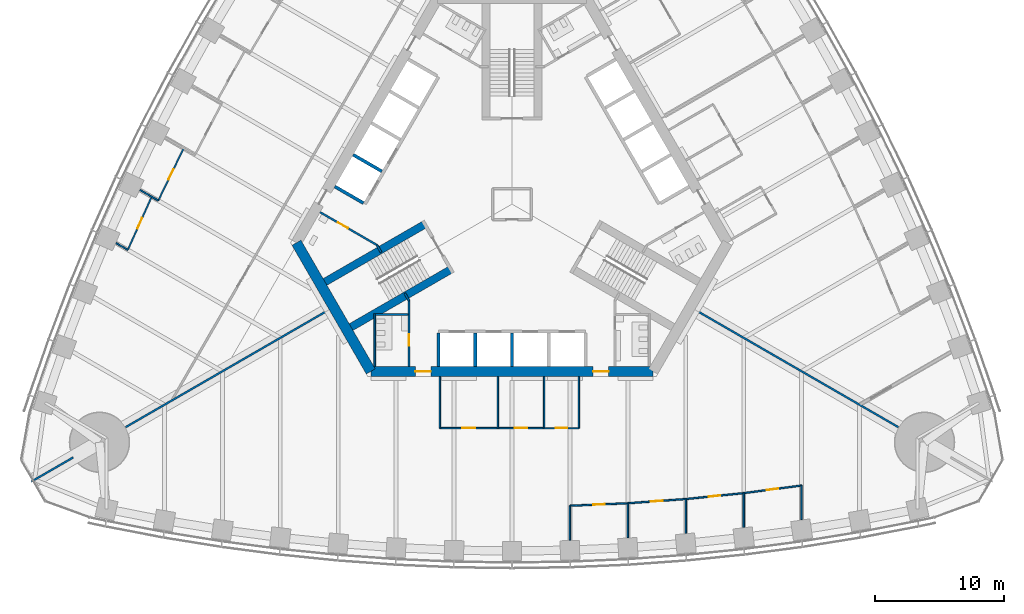
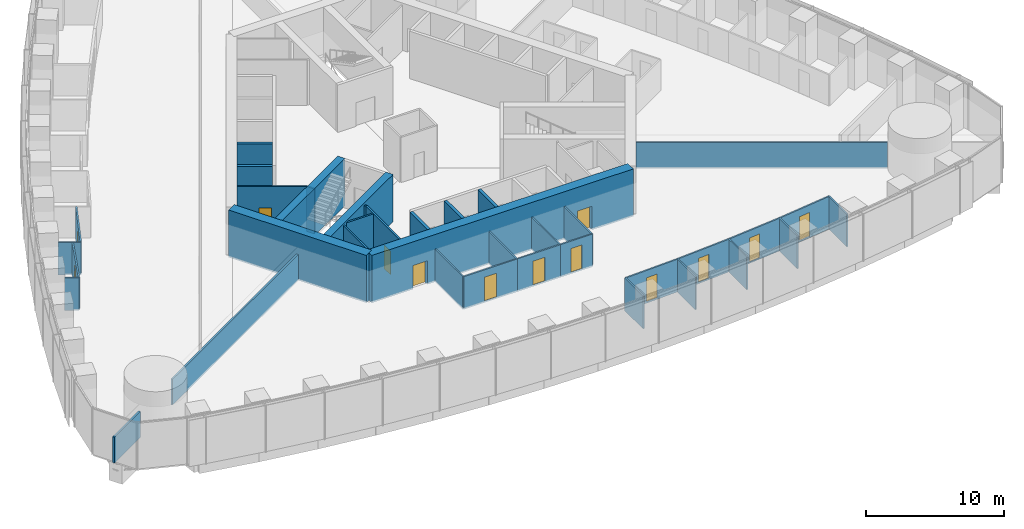
# One storey, part 10 of 18: 38 walls, 13 doors, 13 openings.
"""IFC4 building model written with IfcOpenShell, lengths in metres."""

from ifc_helpers import new_model, si_unit, direction, frame, frame_2d, origin, place, context, subcontext, project, spatial, rectangle, extrude, material, layer, layer_set, type_object, element, fill, save


model = new_model("IFC4")

# Units and contexts
model_context = context("Model", 3, precision=1e-05, world=origin(), true_north=direction((0.0, 1.0)))
body_context = subcontext(model_context, "Body", "Model", "MODEL_VIEW")
ifc_project = project(units=[si_unit("LENGTHUNIT", "METRE"), si_unit("AREAUNIT", "SQUARE_METRE"), si_unit("VOLUMEUNIT", "CUBIC_METRE"), si_unit("PLANEANGLEUNIT", "RADIAN"), si_unit("MASSUNIT", "GRAM", prefix="KILO")], contexts=[model_context])

# Site, building, storey
site_placement = place(None, origin())
site = spatial("IfcSite", under=ifc_project, at=site_placement, CompositionType="ELEMENT")
building_placement = place(site_placement, origin())
building = spatial("IfcBuilding", under=site, at=building_placement, Name="Trefoil Bronze Tower", CompositionType="ELEMENT")
storey_placement = place(building_placement, frame((0.0, 0.0, 50.10009765625)))
storey = spatial("IfcBuildingStorey", under=building, at=storey_placement, Name="L11", CompositionType="ELEMENT", Elevation=50.10009765625)

# Wall, openings, doors
ifc_material_1 = material(Name="Concrete B80", Category="concrete")
ifc_layer_1 = layer(ifc_material_1, 0.800048828125)
ifc_layer_set_1 = layer_set([ifc_layer_1], Name="Core wall 800")
wall_type_1 = type_object("IfcWallType", Name="Core wall 800", PredefinedType="SHEAR", material=ifc_layer_set_1)
wall_1_placement = place(storey_placement, frame((-10.9697265625, -13.0, 0.0), z_axis=(0.0, 0.0, 1.0), x_axis=(1.0, 0.0, 0.0)))
wall_1 = element("IfcWall", 1, at=wall_1_placement, inside=storey, type_object=wall_type_1, Name="Core long wall 1 L11", PredefinedType="SHEAR", context=body_context, shape_type="SweptSolid", body=[
    extrude(rectangle(XDim=21.939453125, YDim=0.800048828125, at=frame_2d((10.9697265625, 0.0))), origin(), (0.0, 0.0, 1.0), 4.199951171875),
])
opening_1_placement = place(wall_1_placement, frame((17.269775390625, 0.0, 0.0)))
opening_1 = element("IfcOpeningElement", 2, at=opening_1_placement, cuts=wall_1, Name="Opening D2", PredefinedType="OPENING", context=body_context, shape_type="SweptSolid", body=[
    extrude(rectangle(XDim=1.199951171875, YDim=2.10009765625, at=frame_2d((0.60009765625, 1.050048828125))), frame((0.0, 0.409912109375, 0.0), z_axis=(0.0, -1.0, 0.0), x_axis=(1.0, 0.0, 0.0)), (0.0, 0.0, 1.0), 0.820068359375),
])
opening_2_placement = place(wall_1_placement, frame((3.4697265625, 0.0, 0.0)))
opening_2 = element("IfcOpeningElement", 3, at=opening_2_placement, cuts=wall_1, Name="Opening D2", PredefinedType="OPENING", context=body_context, shape_type="SweptSolid", body=[
    extrude(rectangle(XDim=1.199951171875, YDim=2.10009765625, at=frame_2d((0.60009765625, 1.050048828125))), frame((0.0, 0.409912109375, 0.0), z_axis=(0.0, -1.0, 0.0), x_axis=(1.0, 0.0, 0.0)), (0.0, 0.0, 1.0), 0.820068359375),
])
ifc_material_2 = material(Name="Steel door", Category="steel")
door_type_1 = type_object("IfcDoorType", Name="Lobby door 1200", OperationType="SINGLE_SWING_RIGHT", PredefinedType="DOOR", material=ifc_material_2)
door_1_placement = place(opening_1_placement, origin())
door_1 = element("IfcDoor", 4, at=door_1_placement, inside=storey, type_object=door_type_1, Name="Lobby door F1+ L11", OperationType="SINGLE_SWING_RIGHT", OverallHeight=2.10009765625, OverallWidth=1.199951171875, PredefinedType="DOOR", context=body_context, shape_type="SweptSolid", body=[
    extrude(rectangle(XDim=1.199951171875, YDim=2.10009765625, at=frame_2d((0.60009765625, 1.050048828125))), frame((0.0, 0.02490234375, 0.0), z_axis=(0.0, -1.0, 0.0), x_axis=(1.0, 0.0, 0.0)), (0.0, 0.0, 1.0), 0.050048828125),
])
fill(opening_1, door_1)
door_2_placement = place(opening_2_placement, origin())
door_2 = element("IfcDoor", 5, at=door_2_placement, inside=storey, type_object=door_type_1, Name="Lobby door F1- L11", OperationType="SINGLE_SWING_LEFT", OverallHeight=2.10009765625, OverallWidth=1.199951171875, PredefinedType="DOOR", context=body_context, shape_type="SweptSolid", body=[
    extrude(rectangle(XDim=1.199951171875, YDim=2.10009765625, at=frame_2d((0.60009765625, 1.050048828125))), frame((0.0, 0.02490234375, 0.0), z_axis=(0.0, -1.0, 0.0), x_axis=(1.0, 0.0, 0.0)), (0.0, 0.0, 1.0), 0.050048828125),
])
fill(opening_2, door_2)

# Wall
wall_2_placement = place(storey_placement, frame((-16.7431640625, -3.0, 0.0), z_axis=(0.0, 0.0, 1.0), x_axis=(0.499995765644, -0.866027848477, 0.0)))
element("IfcWall", 6, at=wall_2_placement, inside=storey, type_object=wall_type_1, Name="Core short wall 3 L11", PredefinedType="SHEAR", context=body_context, shape_type="SweptSolid", body=[
    extrude(rectangle(XDim=11.546875, YDim=0.800048828125, at=frame_2d((5.7734375, 0.0))), origin(), (0.0, 0.0, 1.0), 4.199951171875),
])

# Wall, opening, door
ifc_material_3 = material(Name="Glazed partition", Category="glass")
ifc_layer_2 = layer(ifc_material_3, 0.1201171875)
ifc_layer_set_2 = layer_set([ifc_layer_2], Name="Glazed partition 120")
wall_type_2 = type_object("IfcWallType", Name="Glazed partition 120", PredefinedType="PARTITIONING", material=ifc_layer_set_2)
wall_3_placement = place(storey_placement, frame((2.5, -17.39990234375, 0.0), z_axis=(0.0, 0.0, 1.0), x_axis=(1.0, 0.0, 0.0)))
wall_3 = element("IfcWall", 7, at=wall_3_placement, inside=storey, type_object=wall_type_2, Name="Partition F1 L11", PredefinedType="PARTITIONING", context=body_context, shape_type="SweptSolid", body=[
    extrude(rectangle(XDim=2.699951171875, YDim=0.1201171875, at=frame_2d((1.35009765625, 0.0))), origin(), (0.0, 0.0, 1.0), 2.89990234375),
])
opening_3_placement = place(wall_3_placement, frame((0.89990234375, 0.0, 0.14990234375)))
opening_3 = element("IfcOpeningElement", 8, at=opening_3_placement, cuts=wall_3, Name="Opening D8", PredefinedType="OPENING", context=body_context, shape_type="SweptSolid", body=[
    extrude(rectangle(XDim=0.89990234375, YDim=2.10009765625, at=frame_2d((0.449951171875, 1.050048828125))), frame((0.0, 0.070068359375, 0.0), z_axis=(0.0, -1.0, 0.0), x_axis=(1.0, 0.0, 0.0)), (0.0, 0.0, 1.0), 0.14013671875),
])
ifc_material_4 = material(Name="Timber door", Category="wood")
door_type_2 = type_object("IfcDoorType", Name="Office door 900", OperationType="SINGLE_SWING_LEFT", PredefinedType="DOOR", material=ifc_material_4)
door_3_placement = place(opening_3_placement, origin())
door_3 = element("IfcDoor", 9, at=door_3_placement, inside=storey, type_object=door_type_2, Name="Pantry door F1 L11", OperationType="SINGLE_SWING_LEFT", OverallHeight=2.10009765625, OverallWidth=0.89990234375, PredefinedType="DOOR", context=body_context, shape_type="SweptSolid", body=[
    extrude(rectangle(XDim=0.89990234375, YDim=2.10009765625, at=frame_2d((0.449951171875, 1.050048828125))), frame((0.0, 0.02490234375, 0.0), z_axis=(0.0, -1.0, 0.0), x_axis=(1.0, 0.0, 0.0)), (0.0, 0.0, 1.0), 0.050048828125),
])
fill(opening_3, door_3)

wall_4_placement = place(storey_placement, frame((-1.10009765625, -17.39990234375, 0.0), z_axis=(0.0, 0.0, 1.0), x_axis=(1.0, 0.0, 0.0)))
wall_4 = element("IfcWall", 10, at=wall_4_placement, inside=storey, type_object=wall_type_2, Name="Partition F1 L11", PredefinedType="PARTITIONING", context=body_context, shape_type="SweptSolid", body=[
    extrude(rectangle(XDim=3.60009765625, YDim=0.1201171875, at=frame_2d((1.800048828125, 0.0))), origin(), (0.0, 0.0, 1.0), 2.89990234375),
])
opening_4_placement = place(wall_4_placement, frame((1.300048828125, 0.0, 0.14990234375)))
opening_4 = element("IfcOpeningElement", 11, at=opening_4_placement, cuts=wall_4, Name="Opening D9", PredefinedType="OPENING", context=body_context, shape_type="SweptSolid", body=[
    extrude(rectangle(XDim=1.0, YDim=2.10009765625, at=frame_2d((0.5, 1.050048828125))), frame((0.0, 0.070068359375, 0.0), z_axis=(0.0, -1.0, 0.0), x_axis=(1.0, 0.0, 0.0)), (0.0, 0.0, 1.0), 0.14013671875),
])
ifc_material_5 = material(Name="Glazed timber door", Category="wood")
door_type_3 = type_object("IfcDoorType", Name="Meeting room door 1000", OperationType="SINGLE_SWING_LEFT", PredefinedType="DOOR", material=ifc_material_5)
door_4_placement = place(opening_4_placement, origin())
door_4 = element("IfcDoor", 12, at=door_4_placement, inside=storey, type_object=door_type_3, Name="Meeting room door F1 L11", OperationType="SINGLE_SWING_LEFT", OverallHeight=2.10009765625, OverallWidth=1.0, PredefinedType="DOOR", context=body_context, shape_type="SweptSolid", body=[
    extrude(rectangle(XDim=1.0, YDim=2.10009765625, at=frame_2d((0.5, 1.050048828125))), frame((0.0, 0.02490234375, 0.0), z_axis=(0.0, -1.0, 0.0), x_axis=(1.0, 0.0, 0.0)), (0.0, 0.0, 1.0), 0.050048828125),
])
fill(opening_4, door_4)

wall_5_placement = place(storey_placement, frame((-5.60009765625, -17.39990234375, 0.0), z_axis=(0.0, 0.0, 1.0), x_axis=(1.0, 0.0, 0.0)))
wall_5 = element("IfcWall", 13, at=wall_5_placement, inside=storey, type_object=wall_type_2, Name="Partition F1 L11", PredefinedType="PARTITIONING", context=body_context, shape_type="SweptSolid", body=[
    extrude(rectangle(XDim=4.5, YDim=0.1201171875, at=frame_2d((2.25, 0.0))), origin(), (0.0, 0.0, 1.0), 2.89990234375),
])
opening_5_placement = place(wall_5_placement, frame((1.75, 0.0, 0.14990234375)))
opening_5 = element("IfcOpeningElement", 14, at=opening_5_placement, cuts=wall_5, Name="Opening D9", PredefinedType="OPENING", context=body_context, shape_type="SweptSolid", body=[
    extrude(rectangle(XDim=1.0, YDim=2.10009765625, at=frame_2d((0.5, 1.050048828125))), frame((0.0, 0.070068359375, 0.0), z_axis=(0.0, -1.0, 0.0), x_axis=(1.0, 0.0, 0.0)), (0.0, 0.0, 1.0), 0.14013671875),
])
door_5_placement = place(opening_5_placement, origin())
door_5 = element("IfcDoor", 15, at=door_5_placement, inside=storey, type_object=door_type_3, Name="Project room door F1 L11", OperationType="SINGLE_SWING_LEFT", OverallHeight=2.10009765625, OverallWidth=1.0, PredefinedType="DOOR", context=body_context, shape_type="SweptSolid", body=[
    extrude(rectangle(XDim=1.0, YDim=2.10009765625, at=frame_2d((0.5, 1.050048828125))), frame((0.0, 0.02490234375, 0.0), z_axis=(0.0, -1.0, 0.0), x_axis=(1.0, 0.0, 0.0)), (0.0, 0.0, 1.0), 0.050048828125),
])
fill(opening_5, door_5)

# Walls
for number, where, z_axis, x_axis, name in (
    (16, (2.5, -13.39990234375, 0.0), (0.0, 0.0, 1.0), (0.0, -1.0, 0.0), "Partition F1 L11"),
    (17, (5.199951171875, -13.39990234375, 0.0), (0.0, 0.0, 1.0), (0.0, -1.0, 0.0), "Partition F1 L11"),
    (18, (-1.10009765625, -13.39990234375, 0.0), (0.0, 0.0, 1.0), (0.0, -1.0, 0.0), "Partition F1 L11"),
    (19, (-5.60009765625, -13.39990234375, 0.0), (0.0, 0.0, 1.0), (0.0, -1.0, 0.0), "Partition F1 L11"),
):
    element("IfcWall", number, at=place(storey_placement, frame(where, z_axis=z_axis, x_axis=x_axis)), inside=storey, type_object=wall_type_2, Name=name, PredefinedType="PARTITIONING", context=body_context, shape_type="SweptSolid", body=[
        extrude(rectangle(XDim=4.0, YDim=0.1201171875, at=frame_2d((2.0, 0.0))), origin(), (0.0, 0.0, 1.0), 2.89990234375),
    ])

# Wall, opening, door
wall_6_placement = place(storey_placement, frame((13.5, -22.909912109375, 0.0), z_axis=(0.0, 0.0, 1.0), x_axis=(0.994833141332, 0.101523499286, 0.0)))
wall_6 = element("IfcWall", 20, at=wall_6_placement, inside=storey, type_object=wall_type_2, Name="Partition F1 L11", PredefinedType="PARTITIONING", context=body_context, shape_type="SweptSolid", body=[
    extrude(rectangle(XDim=4.5234375, YDim=0.1201171875, at=frame_2d((2.26171875, 0.0))), origin(), (0.0, 0.0, 1.0), 2.89990234375),
])
opening_6_placement = place(wall_6_placement, frame((1.800048828125, 0.0, 0.14990234375)))
opening_6 = element("IfcOpeningElement", 21, at=opening_6_placement, cuts=wall_6, Name="Opening D8", PredefinedType="OPENING", context=body_context, shape_type="SweptSolid", body=[
    extrude(rectangle(XDim=0.89990234375, YDim=2.10009765625, at=frame_2d((0.449951171875, 1.050048828125))), frame((0.0, 0.070068359375, 0.0), z_axis=(0.0, -1.0, 0.0), x_axis=(1.0, 0.0, 0.0)), (0.0, 0.0, 1.0), 0.14013671875),
])
door_6_placement = place(opening_6_placement, frame((0.89990234375, 0.0, 0.0), z_axis=(0.0, 0.0, 1.0), x_axis=(-1.0, 0.0, 0.0)))
door_6 = element("IfcDoor", 22, at=door_6_placement, inside=storey, type_object=door_type_2, Name="Office door F1 L11", OperationType="SINGLE_SWING_RIGHT", OverallHeight=2.10009765625, OverallWidth=0.89990234375, PredefinedType="DOOR", context=body_context, shape_type="SweptSolid", body=[
    extrude(rectangle(XDim=0.89990234375, YDim=2.10009765625, at=frame_2d((0.449951171875, 1.050048828125))), frame((0.0, 0.02490234375, 0.0), z_axis=(0.0, -1.0, 0.0), x_axis=(1.0, 0.0, 0.0)), (0.0, 0.0, 1.0), 0.050048828125),
])
fill(opening_6, door_6)

wall_7_placement = place(storey_placement, frame((18.0, -22.45068359375, 0.0), z_axis=(0.0, 0.0, 1.0), x_axis=(0.991435244698, 0.130599217346, 0.0)))
wall_7 = element("IfcWall", 23, at=wall_7_placement, inside=storey, type_object=wall_type_2, Name="Partition F1 L11", PredefinedType="PARTITIONING", context=body_context, shape_type="SweptSolid", body=[
    extrude(rectangle(XDim=4.538818359375, YDim=0.1201171875, at=frame_2d((2.26953125, 0.0))), origin(), (0.0, 0.0, 1.0), 2.89990234375),
])
opening_7_placement = place(wall_7_placement, frame((1.800048828125, 0.0, 0.14990234375)))
opening_7 = element("IfcOpeningElement", 24, at=opening_7_placement, cuts=wall_7, Name="Opening D8", PredefinedType="OPENING", context=body_context, shape_type="SweptSolid", body=[
    extrude(rectangle(XDim=0.89990234375, YDim=2.10009765625, at=frame_2d((0.449951171875, 1.050048828125))), frame((0.0, 0.070068359375, 0.0), z_axis=(0.0, -1.0, 0.0), x_axis=(1.0, 0.0, 0.0)), (0.0, 0.0, 1.0), 0.14013671875),
])
door_7_placement = place(opening_7_placement, frame((0.89990234375, 0.0, 0.0), z_axis=(0.0, 0.0, 1.0), x_axis=(-1.0, 0.0, 0.0)))
door_7 = element("IfcDoor", 25, at=door_7_placement, inside=storey, type_object=door_type_2, Name="Office door F1 L11", OperationType="SINGLE_SWING_RIGHT", OverallHeight=2.10009765625, OverallWidth=0.89990234375, PredefinedType="DOOR", context=body_context, shape_type="SweptSolid", body=[
    extrude(rectangle(XDim=0.89990234375, YDim=2.10009765625, at=frame_2d((0.449951171875, 1.050048828125))), frame((0.0, 0.02490234375, 0.0), z_axis=(0.0, -1.0, 0.0), x_axis=(1.0, 0.0, 0.0)), (0.0, 0.0, 1.0), 0.050048828125),
])
fill(opening_7, door_7)

wall_8_placement = place(storey_placement, frame((4.5, -23.433349609375, 0.0), z_axis=(0.0, 0.0, 1.0), x_axis=(0.999052370647, 0.043524254212, 0.0)))
wall_8 = element("IfcWall", 26, at=wall_8_placement, inside=storey, type_object=wall_type_2, Name="Partition F1 L11", PredefinedType="PARTITIONING", context=body_context, shape_type="SweptSolid", body=[
    extrude(rectangle(XDim=4.504150390625, YDim=0.1201171875, at=frame_2d((2.251953125, 0.0))), origin(), (0.0, 0.0, 1.0), 2.89990234375),
])
opening_8_placement = place(wall_8_placement, frame((1.800048828125, 0.0, 0.14990234375)))
opening_8 = element("IfcOpeningElement", 27, at=opening_8_placement, cuts=wall_8, Name="Opening D8", PredefinedType="OPENING", context=body_context, shape_type="SweptSolid", body=[
    extrude(rectangle(XDim=0.89990234375, YDim=2.10009765625, at=frame_2d((0.449951171875, 1.050048828125))), frame((0.0, 0.070068359375, 0.0), z_axis=(0.0, -1.0, 0.0), x_axis=(1.0, 0.0, 0.0)), (0.0, 0.0, 1.0), 0.14013671875),
])
door_8_placement = place(opening_8_placement, frame((0.89990234375, 0.0, 0.0), z_axis=(0.0, 0.0, 1.0), x_axis=(-1.0, 0.0, 0.0)))
door_8 = element("IfcDoor", 28, at=door_8_placement, inside=storey, type_object=door_type_2, Name="Office door F1 L11", OperationType="SINGLE_SWING_RIGHT", OverallHeight=2.10009765625, OverallWidth=0.89990234375, PredefinedType="DOOR", context=body_context, shape_type="SweptSolid", body=[
    extrude(rectangle(XDim=0.89990234375, YDim=2.10009765625, at=frame_2d((0.449951171875, 1.050048828125))), frame((0.0, 0.02490234375, 0.0), z_axis=(0.0, -1.0, 0.0), x_axis=(1.0, 0.0, 0.0)), (0.0, 0.0, 1.0), 0.050048828125),
])
fill(opening_8, door_8)

wall_9_placement = place(storey_placement, frame((9.0, -23.2373046875, 0.0), z_axis=(0.0, 0.0, 1.0), x_axis=(0.997363894896, 0.072562119306, 0.0)))
wall_9 = element("IfcWall", 29, at=wall_9_placement, inside=storey, type_object=wall_type_2, Name="Partition F1 L11", PredefinedType="PARTITIONING", context=body_context, shape_type="SweptSolid", body=[
    extrude(rectangle(XDim=4.511962890625, YDim=0.1201171875, at=frame_2d((2.255859375, 0.0))), origin(), (0.0, 0.0, 1.0), 2.89990234375),
])
opening_9_placement = place(wall_9_placement, frame((1.800048828125, 0.0, 0.14990234375)))
opening_9 = element("IfcOpeningElement", 30, at=opening_9_placement, cuts=wall_9, Name="Opening D8", PredefinedType="OPENING", context=body_context, shape_type="SweptSolid", body=[
    extrude(rectangle(XDim=0.89990234375, YDim=2.10009765625, at=frame_2d((0.449951171875, 1.050048828125))), frame((0.0, 0.070068359375, 0.0), z_axis=(0.0, -1.0, 0.0), x_axis=(1.0, 0.0, 0.0)), (0.0, 0.0, 1.0), 0.14013671875),
])
door_9_placement = place(opening_9_placement, frame((0.89990234375, 0.0, 0.0), z_axis=(0.0, 0.0, 1.0), x_axis=(-1.0, 0.0, 0.0)))
door_9 = element("IfcDoor", 31, at=door_9_placement, inside=storey, type_object=door_type_2, Name="Office door F1 L11", OperationType="SINGLE_SWING_RIGHT", OverallHeight=2.10009765625, OverallWidth=0.89990234375, PredefinedType="DOOR", context=body_context, shape_type="SweptSolid", body=[
    extrude(rectangle(XDim=0.89990234375, YDim=2.10009765625, at=frame_2d((0.449951171875, 1.050048828125))), frame((0.0, 0.02490234375, 0.0), z_axis=(0.0, -1.0, 0.0), x_axis=(1.0, 0.0, 0.0)), (0.0, 0.0, 1.0), 0.050048828125),
])
fill(opening_9, door_9)

# Walls
wall_10_placement = place(storey_placement, frame((13.5, -22.909912109375, 0.0), z_axis=(0.0, 0.0, 1.0), x_axis=(0.0, -1.0, 0.0)))
element("IfcWall", 32, at=wall_10_placement, inside=storey, type_object=wall_type_2, Name="Partition F1 L11", PredefinedType="PARTITIONING", context=body_context, shape_type="SweptSolid", body=[
    extrude(rectangle(XDim=2.6640625, YDim=0.1201171875, at=frame_2d((1.33203125, 0.0))), origin(), (0.0, 0.0, 1.0), 2.89990234375),
])
wall_11_placement = place(storey_placement, frame((18.0, -22.45068359375, 0.0), z_axis=(0.0, 0.0, 1.0), x_axis=(0.0, -1.0, 0.0)))
element("IfcWall", 33, at=wall_11_placement, inside=storey, type_object=wall_type_2, Name="Partition F1 L11", PredefinedType="PARTITIONING", context=body_context, shape_type="SweptSolid", body=[
    extrude(rectangle(XDim=2.6591796875, YDim=0.1201171875, at=frame_2d((1.32958984375, 0.0))), origin(), (0.0, 0.0, 1.0), 2.89990234375),
])
wall_12_placement = place(storey_placement, frame((22.5, -21.85791015625, 0.0), z_axis=(0.0, 0.0, 1.0), x_axis=(0.0, -1.0, 0.0)))
element("IfcWall", 34, at=wall_12_placement, inside=storey, type_object=wall_type_2, Name="Partition F1 L11", PredefinedType="PARTITIONING", context=body_context, shape_type="SweptSolid", body=[
    extrude(rectangle(XDim=2.6533203125, YDim=0.1201171875, at=frame_2d((1.32666015625, 0.0))), origin(), (0.0, 0.0, 1.0), 2.89990234375),
])
wall_13_placement = place(storey_placement, frame((4.5, -23.433349609375, 0.0), z_axis=(0.0, 0.0, 1.0), x_axis=(0.0, -1.0, 0.0)))
element("IfcWall", 35, at=wall_13_placement, inside=storey, type_object=wall_type_2, Name="Partition F1 L11", PredefinedType="PARTITIONING", context=body_context, shape_type="SweptSolid", body=[
    extrude(rectangle(XDim=2.66943359375, YDim=0.1201171875, at=frame_2d((1.334716796875, 0.0))), origin(), (0.0, 0.0, 1.0), 2.89990234375),
])
wall_14_placement = place(storey_placement, frame((9.0, -23.2373046875, 0.0), z_axis=(0.0, 0.0, 1.0), x_axis=(0.0, -1.0, 0.0)))
element("IfcWall", 36, at=wall_14_placement, inside=storey, type_object=wall_type_2, Name="Partition F1 L11", PredefinedType="PARTITIONING", context=body_context, shape_type="SweptSolid", body=[
    extrude(rectangle(XDim=2.66748046875, YDim=0.1201171875, at=frame_2d((1.333740234375, 0.0))), origin(), (0.0, 0.0, 1.0), 2.89990234375),
])

# Wall, opening, door
wall_15_placement = place(storey_placement, frame((-27.9892578125, 0.5712890625, 0.0), z_axis=(0.0, 0.0, 1.0), x_axis=(-0.409430894151, -0.912341132973, 0.0)))
wall_15 = element("IfcWall", 37, at=wall_15_placement, inside=storey, type_object=wall_type_2, Name="Partition F3 L11", PredefinedType="PARTITIONING", context=body_context, shape_type="SweptSolid", body=[
    extrude(rectangle(XDim=4.5234375, YDim=0.1201171875, at=frame_2d((2.26171875, 0.0))), origin(), (0.0, 0.0, 1.0), 2.89990234375),
])
opening_10_placement = place(wall_15_placement, frame((1.800048828125, 0.0, 0.14990234375)))
opening_10 = element("IfcOpeningElement", 38, at=opening_10_placement, cuts=wall_15, Name="Opening D8", PredefinedType="OPENING", context=body_context, shape_type="SweptSolid", body=[
    extrude(rectangle(XDim=0.89990234375, YDim=2.10009765625, at=frame_2d((0.449951171875, 1.050048828125))), frame((0.0, 0.070068359375, 0.0), z_axis=(0.0, -1.0, 0.0), x_axis=(1.0, 0.0, 0.0)), (0.0, 0.0, 1.0), 0.14013671875),
])
door_10_placement = place(opening_10_placement, frame((0.89990234375, 0.0, 0.0), z_axis=(0.0, 0.0, 1.0), x_axis=(-1.0, 0.0, 0.0)))
door_10 = element("IfcDoor", 39, at=door_10_placement, inside=storey, type_object=door_type_2, Name="Comms room door F3 L11", OperationType="SINGLE_SWING_RIGHT", OverallHeight=2.10009765625, OverallWidth=0.89990234375, PredefinedType="DOOR", context=body_context, shape_type="SweptSolid", body=[
    extrude(rectangle(XDim=0.89990234375, YDim=2.10009765625, at=frame_2d((0.449951171875, 1.050048828125))), frame((0.0, 0.02490234375, 0.0), z_axis=(0.0, -1.0, 0.0), x_axis=(1.0, 0.0, 0.0)), (0.0, 0.0, 1.0), 0.050048828125),
])
fill(opening_10, door_10)

wall_16_placement = place(storey_placement, frame((-25.507568359375, 4.33447265625, 0.0), z_axis=(0.0, 0.0, 1.0), x_axis=(-0.435857917556, -0.900015486369, 0.0)))
wall_16 = element("IfcWall", 40, at=wall_16_placement, inside=storey, type_object=wall_type_2, Name="Partition F3 L11", PredefinedType="PARTITIONING", context=body_context, shape_type="SweptSolid", body=[
    extrude(rectangle(XDim=4.511962890625, YDim=0.1201171875, at=frame_2d((2.255859375, 0.0))), origin(), (0.0, 0.0, 1.0), 2.89990234375),
])
opening_11_placement = place(wall_16_placement, frame((1.800048828125, 0.0, 0.14990234375)))
opening_11 = element("IfcOpeningElement", 41, at=opening_11_placement, cuts=wall_16, Name="Opening D8", PredefinedType="OPENING", context=body_context, shape_type="SweptSolid", body=[
    extrude(rectangle(XDim=0.89990234375, YDim=2.10009765625, at=frame_2d((0.449951171875, 1.050048828125))), frame((0.0, 0.070068359375, 0.0), z_axis=(0.0, -1.0, 0.0), x_axis=(1.0, 0.0, 0.0)), (0.0, 0.0, 1.0), 0.14013671875),
])
door_11_placement = place(opening_11_placement, frame((0.89990234375, 0.0, 0.0), z_axis=(0.0, 0.0, 1.0), x_axis=(-1.0, 0.0, 0.0)))
door_11 = element("IfcDoor", 42, at=door_11_placement, inside=storey, type_object=door_type_2, Name="Pantry door F3 L11", OperationType="SINGLE_SWING_RIGHT", OverallHeight=2.10009765625, OverallWidth=0.89990234375, PredefinedType="DOOR", context=body_context, shape_type="SweptSolid", body=[
    extrude(rectangle(XDim=0.89990234375, YDim=2.10009765625, at=frame_2d((0.449951171875, 1.050048828125))), frame((0.0, 0.02490234375, 0.0), z_axis=(0.0, -1.0, 0.0), x_axis=(1.0, 0.0, 0.0)), (0.0, 0.0, 1.0), 0.050048828125),
])
fill(opening_11, door_11)

# Walls
wall_17_placement = place(storey_placement, frame((-27.47412109375, 0.273681640625, 0.0), z_axis=(0.0, 0.0, 1.0), x_axis=(-0.865995139556, 0.500052415518, 0.0)))
element("IfcWall", 43, at=wall_17_placement, inside=storey, type_object=wall_type_2, Name="Partition F3 L11", PredefinedType="PARTITIONING", context=body_context, shape_type="SweptSolid", body=[
    extrude(rectangle(XDim=1.643798828125, YDim=0.1201171875, at=frame_2d((0.82177734375, 0.0))), origin(), (0.0, 0.0, 1.0), 2.89990234375),
])
wall_18_placement = place(storey_placement, frame((-29.84130859375, -3.5556640625, 0.0), z_axis=(0.0, 0.0, 1.0), x_axis=(-0.866033778982, 0.499985493453, 0.0)))
element("IfcWall", 44, at=wall_18_placement, inside=storey, type_object=wall_type_2, Name="Partition F3 L11", PredefinedType="PARTITIONING", context=body_context, shape_type="SweptSolid", body=[
    extrude(rectangle(XDim=1.04443359375, YDim=0.1201171875, at=frame_2d((0.522216796875, 0.0))), origin(), (0.0, 0.0, 1.0), 2.89990234375),
])

# Wall, opening, door
ifc_material_6 = material(Name="Gypsum board on steel studs", Category="steel")
ifc_layer_3 = layer(ifc_material_6, 0.14990234375)
ifc_layer_set_3 = layer_set([ifc_layer_3], Name="Partition 150")
wall_type_3 = type_object("IfcWallType", Name="Partition 150", PredefinedType="PARTITIONING", material=ifc_layer_set_3)
wall_19_placement = place(storey_placement, frame((-8.0, -7.5, 0.0), z_axis=(0.0, 0.0, 1.0), x_axis=(0.0, -1.0, 0.0)))
wall_19 = element("IfcWall", 45, at=wall_19_placement, inside=storey, type_object=wall_type_3, Name="Passage wall F1- L11", PredefinedType="PARTITIONING", context=body_context, shape_type="SweptSolid", body=[
    extrude(rectangle(XDim=5.10009765625, YDim=0.14990234375, at=frame_2d((2.550048828125, 0.0))), origin(), (0.0, 0.0, 1.0), 4.0),
])
opening_12_placement = place(wall_19_placement, frame((2.60009765625, 0.0, 0.0)))
opening_12 = element("IfcOpeningElement", 46, at=opening_12_placement, cuts=wall_19, Name="Opening D3", PredefinedType="OPENING", context=body_context, shape_type="SweptSolid", body=[
    extrude(rectangle(XDim=0.89990234375, YDim=2.10009765625, at=frame_2d((0.449951171875, 1.050048828125))), frame((0.0, 0.0849609375, 0.0), z_axis=(0.0, -1.0, 0.0), x_axis=(1.0, 0.0, 0.0)), (0.0, 0.0, 1.0), 0.169921875),
])
ifc_material_7 = material(Name="Timber door", Category="wood")
door_type_4 = type_object("IfcDoorType", Name="WC door 900", OperationType="SINGLE_SWING_LEFT", PredefinedType="DOOR", material=ifc_material_7)
door_12_placement = place(opening_12_placement, frame((0.89990234375, 0.0, 0.0), z_axis=(0.0, 0.0, 1.0), x_axis=(-1.0, 0.0, 0.0)))
door_12 = element("IfcDoor", 47, at=door_12_placement, inside=storey, type_object=door_type_4, Name="WC (women) door L11", OperationType="SINGLE_SWING_RIGHT", OverallHeight=2.10009765625, OverallWidth=0.89990234375, PredefinedType="DOOR", context=body_context, shape_type="SweptSolid", body=[
    extrude(rectangle(XDim=0.89990234375, YDim=2.10009765625, at=frame_2d((0.449951171875, 1.050048828125))), frame((0.0, 0.02490234375, 0.0), z_axis=(0.0, -1.0, 0.0), x_axis=(1.0, 0.0, 0.0)), (0.0, 0.0, 1.0), 0.050048828125),
])
fill(opening_12, door_12)

wall_20_placement = place(storey_placement, frame((-10.4951171875, -3.17822265625, 0.0), z_axis=(0.0, 0.0, 1.0), x_axis=(-0.86602216432, 0.500005610874, 0.0)))
wall_20 = element("IfcWall", 48, at=wall_20_placement, inside=storey, type_object=wall_type_3, Name="Passage wall F3+ L11", PredefinedType="PARTITIONING", context=body_context, shape_type="SweptSolid", body=[
    extrude(rectangle(XDim=5.10009765625, YDim=0.14990234375, at=frame_2d((2.550048828125, 0.0))), origin(), (0.0, 0.0, 1.0), 4.0),
])
opening_13_placement = place(wall_20_placement, frame((2.60009765625, 0.0, 0.0)))
opening_13 = element("IfcOpeningElement", 49, at=opening_13_placement, cuts=wall_20, Name="Opening D3", PredefinedType="OPENING", context=body_context, shape_type="SweptSolid", body=[
    extrude(rectangle(XDim=0.89990234375, YDim=2.10009765625, at=frame_2d((0.449951171875, 1.050048828125))), frame((0.0, 0.0849609375, 0.0), z_axis=(0.0, -1.0, 0.0), x_axis=(1.0, 0.0, 0.0)), (0.0, 0.0, 1.0), 0.169921875),
])
door_13_placement = place(opening_13_placement, origin())
door_13 = element("IfcDoor", 50, at=door_13_placement, inside=storey, type_object=door_type_4, Name="Accessible WC door L11", OperationType="SINGLE_SWING_RIGHT", OverallHeight=2.10009765625, OverallWidth=0.89990234375, PredefinedType="DOOR", context=body_context, shape_type="SweptSolid", body=[
    extrude(rectangle(XDim=0.89990234375, YDim=2.10009765625, at=frame_2d((0.449951171875, 1.050048828125))), frame((0.0, 0.02490234375, 0.0), z_axis=(0.0, -1.0, 0.0), x_axis=(1.0, 0.0, 0.0)), (0.0, 0.0, 1.0), 0.050048828125),
])
fill(opening_13, door_13)

# Walls
for number, where, z_axis, x_axis, name in (
    (51, (-10.4951171875, -3.17822265625, 0.0), (0.0, 0.0, 1.0), (0.499842556608, -0.866116284689, 0.0), "WC wall ST3-1 L11"),
    (52, (-8.0, -7.5, 0.0), (0.0, 0.0, 1.0), (-0.499842556608, 0.866116284689, 0.0), "WC wall ST3+1 L11"),
):
    element("IfcWall", number, at=place(storey_placement, frame(where, z_axis=z_axis, x_axis=x_axis)), inside=storey, type_object=wall_type_3, Name=name, PredefinedType="PARTITIONING", context=body_context, shape_type="SweptSolid", body=[
        extrude(rectangle(XDim=0.645263671875, YDim=0.14990234375, at=frame_2d((0.32275390625, 0.0))), origin(), (0.0, 0.0, 1.0), 4.0),
    ])
wall_21_placement = place(storey_placement, frame((-10.659912109375, -8.5, 0.0), z_axis=(0.0, 0.0, 1.0), x_axis=(0.0, -1.0, 0.0)))
element("IfcWall", 53, at=wall_21_placement, inside=storey, type_object=wall_type_3, Name="WC partition WC (women) L11", PredefinedType="PARTITIONING", context=body_context, shape_type="SweptSolid", body=[
    extrude(rectangle(XDim=4.10009765625, YDim=0.14990234375, at=frame_2d((2.050048828125, 0.0))), origin(), (0.0, 0.0, 1.0), 4.0),
])
wall_22_placement = place(storey_placement, frame((-8.074951171875, -8.574951171875, 0.0), z_axis=(0.0, 0.0, 1.0), x_axis=(-1.0, 0.0, 0.0)))
element("IfcWall", 54, at=wall_22_placement, inside=storey, type_object=wall_type_3, Name="WC partition WC (women) L11", PredefinedType="PARTITIONING", context=body_context, shape_type="SweptSolid", body=[
    extrude(rectangle(XDim=2.510009765625, YDim=0.14990234375, at=frame_2d((1.2548828125, 0.0))), origin(), (0.0, 0.0, 1.0), 4.0),
])
ifc_material_8 = material(Name="Gypsum board on steel studs", Category="steel")
ifc_layer_4 = layer(ifc_material_8, 0.14990234375)
ifc_layer_set_4 = layer_set([ifc_layer_4], Name="Party wall 150")
wall_type_4 = type_object("IfcWallType", Name="Party wall 150", PredefinedType="PARTITIONING", material=ifc_layer_set_4)
for number, where, z_axis, x_axis, name in (
    (55, (14.202880859375, -8.199951171875, 0.0), (0.0, 0.0, 1.0), (0.866024965723, -0.500000758745, 0.0), "Party wall K1 L11"),
    (56, (-14.202880859375, -8.199951171875, 0.0), (0.0, 0.0, 1.0), (-0.866024965723, -0.500000758745, 0.0), "Party wall K3 L11"),
):
    element("IfcWall", number, at=place(storey_placement, frame(where, z_axis=z_axis, x_axis=x_axis)), inside=storey, type_object=wall_type_4, Name=name, PredefinedType="PARTITIONING", context=body_context, shape_type="SweptSolid", body=[
        extrude(rectangle(XDim=18.25, YDim=0.14990234375, at=frame_2d((9.125, 0.0))), origin(), (0.0, 0.0, 1.0), 2.2998046875),
    ])
wall_23_placement = place(storey_placement, frame((-34.078125, -19.675048828125, 0.0), z_axis=(0.0, 0.0, 1.0), x_axis=(-0.866019247219, -0.500010663332, 0.0)))
element("IfcWall", 57, at=wall_23_placement, inside=storey, type_object=wall_type_4, Name="Party wall K3 L11", PredefinedType="PARTITIONING", context=body_context, shape_type="SweptSolid", body=[
    extrude(rectangle(XDim=3.76416015625, YDim=0.14990234375, at=frame_2d((1.882080078125, 0.0))), origin(), (0.0, 0.0, 1.0), 2.2998046875),
])
ifc_material_9 = material(Name="Concrete B80", Category="concrete")
ifc_layer_5 = layer(ifc_material_9, 0.25)
ifc_layer_set_5 = layer_set([ifc_layer_5], Name="Shaft wall 250")
wall_type_5 = type_object("IfcWallType", Name="Shaft wall 250", PredefinedType="SHEAR", material=ifc_layer_set_5)
for number, where, z_axis, x_axis, name in (
    (58, (-5.699951171875, -10.02490234375, 0.0), (0.0, 0.0, 1.0), (0.0, -1.0, 0.0), "Lift shaft side wall A0 L11"),
    (59, (-2.85009765625, -10.02490234375, 0.0), (0.0, 0.0, 1.0), (0.0, -1.0, 0.0), "Lift shaft side wall A1 L11"),
    (60, (0.0, -10.02490234375, 0.0), (0.0, 0.0, 1.0), (0.0, -1.0, 0.0), "Lift shaft side wall A2 L11"),
):
    element("IfcWall", number, at=place(storey_placement, frame(where, z_axis=z_axis, x_axis=x_axis)), inside=storey, type_object=wall_type_5, Name=name, PredefinedType="SHEAR", context=body_context, shape_type="SweptSolid", body=[
        extrude(rectangle(XDim=2.5751953125, YDim=0.25, at=frame_2d((1.28759765625, 0.0))), origin(), (0.0, 0.0, 1.0), 4.199951171875),
    ])
for number, where, z_axis, x_axis, name in (
    (61, (-10.10693359375, 2.54443359375, 0.0), (0.0, 0.0, 1.0), (-0.866046643894, 0.499963209246, 0.0), "Lift shaft side wall C3 L11"),
    (62, (-11.531982421875, 0.076171875, 0.0), (0.0, 0.0, 1.0), (-0.866005588531, 0.500034319456, 0.0), "Lift shaft side wall C4 L11"),
):
    element("IfcWall", number, at=place(storey_placement, frame(where, z_axis=z_axis, x_axis=x_axis)), inside=storey, type_object=wall_type_5, Name=name, PredefinedType="SHEAR", context=body_context, shape_type="SweptSolid", body=[
        extrude(rectangle(XDim=2.574951171875, YDim=0.25, at=frame_2d((1.28759765625, 0.0))), origin(), (0.0, 0.0, 1.0), 4.199951171875),
    ])
ifc_material_10 = material(Name="Concrete B80", Category="concrete")
ifc_layer_6 = layer(ifc_material_10, 0.60009765625)
ifc_layer_set_6 = layer_set([ifc_layer_6], Name="Stair wall 600")
wall_type_6 = type_object("IfcWallType", Name="Stair wall 600", PredefinedType="SHEAR", material=ifc_layer_set_6)
for number, where, z_axis, x_axis, name in (
    (63, (-6.663330078125, -1.5087890625, 0.0), (0.0, 0.0, 1.0), (-0.866019375473, -0.500010441196, 0.0), "Stair wall ST3 L11"),
    (64, (-4.638427734375, -5.01611328125, 0.0), (0.0, 0.0, 1.0), (-0.866019375473, -0.500010441196, 0.0), "Stair wall ST3 L11"),
):
    element("IfcWall", number, at=place(storey_placement, frame(where, z_axis=z_axis, x_axis=x_axis)), inside=storey, type_object=wall_type_6, Name=name, PredefinedType="SHEAR", context=body_context, shape_type="SweptSolid", body=[
        extrude(rectangle(XDim=9.074951171875, YDim=0.60009765625, at=frame_2d((4.53759765625, 0.0))), origin(), (0.0, 0.0, 1.0), 4.199951171875),
    ])

save(model, "model.ifc")
